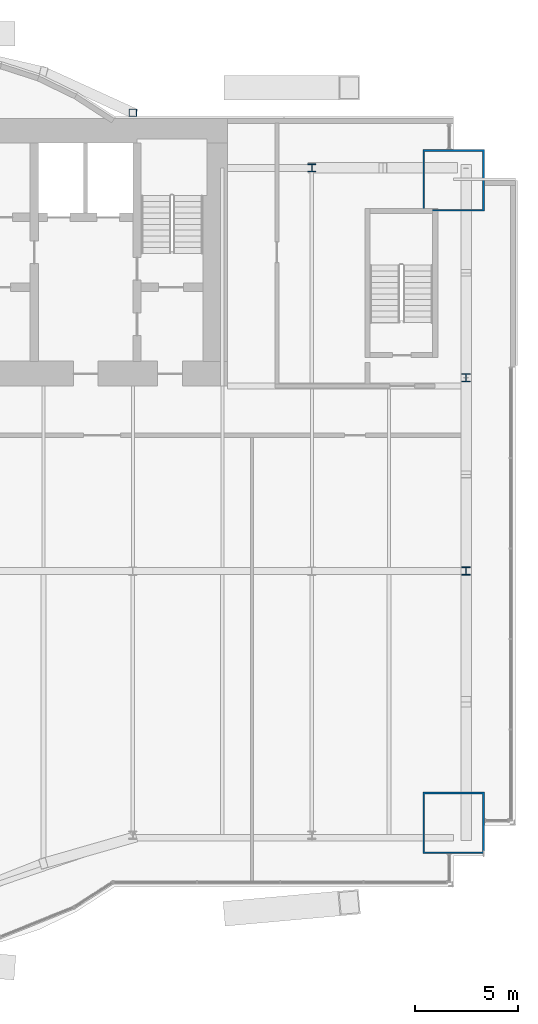
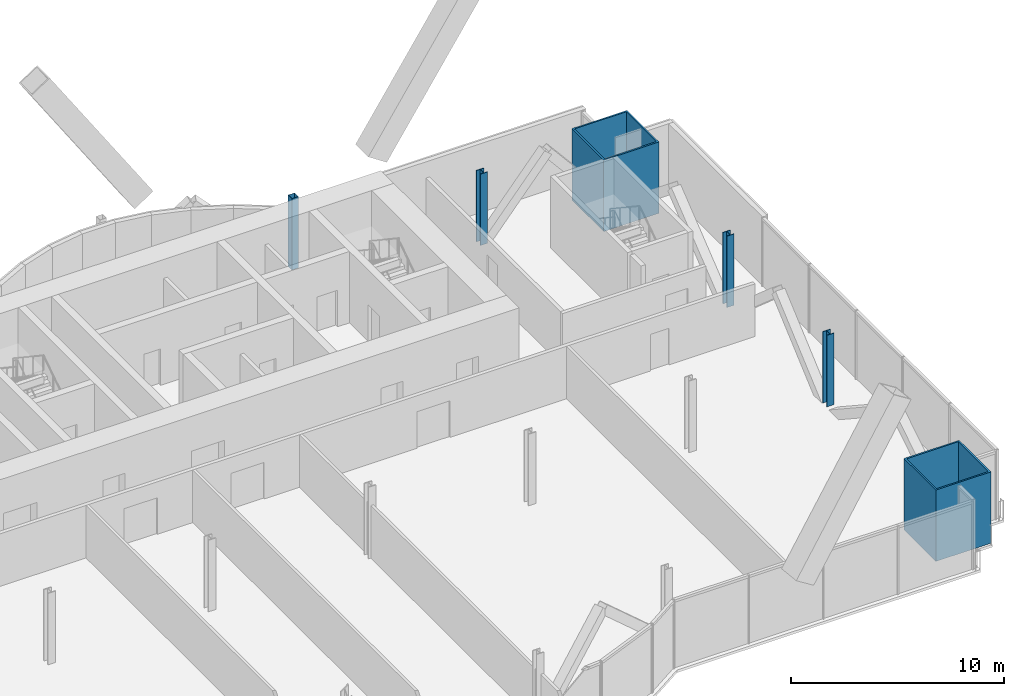
# One storey, part 3 of 21: 6 columns.
"""IFC4 building model written with IfcOpenShell, lengths in metres."""

from ifc_helpers import new_model, si_unit, direction, frame, origin, origin_2d, place, context, subcontext, project, spatial, hollow_rectangle, i_section, extrude, material, material_profile, profile_set, type_object, element, save


model = new_model("IFC4")

# Units and contexts
model_context = context("Model", 3, precision=1e-05, world=origin(), true_north=direction((0.0, 1.0)))
body_context = subcontext(model_context, "Body", "Model", "MODEL_VIEW")
ifc_project = project(units=[si_unit("LENGTHUNIT", "METRE"), si_unit("AREAUNIT", "SQUARE_METRE"), si_unit("VOLUMEUNIT", "CUBIC_METRE"), si_unit("PLANEANGLEUNIT", "RADIAN"), si_unit("MASSUNIT", "GRAM", prefix="KILO")], contexts=[model_context])

# Site, building, storey
site_placement = place(None, origin())
site = spatial("IfcSite", under=ifc_project, at=site_placement, CompositionType="ELEMENT")
building_placement = place(site_placement, origin())
building = spatial("IfcBuilding", under=site, at=building_placement, Name="Bicima Exchange Tower", CompositionType="ELEMENT")
storey_placement = place(building_placement, frame((0.0, 0.0, 118.60009765625)))
storey = spatial("IfcBuildingStorey", under=building, at=storey_placement, Name="L25", CompositionType="ELEMENT", Elevation=118.60009765625)

# Columns
ifc_material_1 = material(Name="Steel ASTM A572 Gr 50", Category="steel")
ifc_material_profile_1 = material_profile(ifc_material_1, hollow_rectangle(XDim=3.0, YDim=3.0, WallThickness=0.090087890625, at=origin_2d()))
ifc_profile_set_1 = profile_set([ifc_material_profile_1], Name="Steel ASTM A572 Gr 50")
column_type_1 = type_object("IfcColumnType", Name="Mega column BOX 3000x3000x90", PredefinedType="COLUMN", material=ifc_profile_set_1)
for number, where, z_axis, x_axis, name in (
    (1, (33.0, -34.241943359375, 0.0), (0.0, 0.0, 1.0), (1.0, 0.0, 0.0), "Mega column mega+33.0f"),
    (2, (33.0, -3.0, 0.0), (0.0, 0.0, 1.0), (1.0, 0.0, 0.0), "Mega column mega+33.0r"),
):
    element("IfcColumn", number, at=place(storey_placement, frame(where, z_axis=z_axis, x_axis=x_axis)), inside=storey, type_object=column_type_1, Name=name, PredefinedType="COLUMN", context=body_context, shape_type="SweptSolid", body=[
        extrude(hollow_rectangle(XDim=3.0, YDim=3.0, WallThickness=0.090087890625, at=origin_2d()), origin(), (0.0, 0.0, 1.0), 4.099853515625),
    ])
ifc_material_2 = material(Name="Steel ASTM A992 Gr 50", Category="steel")
ifc_material_profile_2 = material_profile(ifc_material_2, i_section(OverallWidth=0.398681640625, OverallDepth=0.393798828125, WebThickness=0.022705078125, FlangeThickness=0.03662109375, at=origin_2d()))
ifc_profile_set_2 = profile_set([ifc_material_profile_2], Name="Steel ASTM A992 Gr 50")
column_type_2 = type_object("IfcColumnType", Name="Perimeter column W14x193", PredefinedType="COLUMN", material=ifc_profile_set_2)
for number, where, z_axis, x_axis, name in (
    (3, (26.10009765625, -2.39990234375, 0.0), (0.0, 0.0, 1.0), (1.0, 0.0, 0.0), "Perimeter column grav+26.1r"),
    (4, (33.60009765625, -12.60009765625, 0.0), (0.0, 0.0, 1.0), (1.0, 0.0, 0.0), "End column end+33.6e"),
    (5, (33.60009765625, -22.0, 0.0), (0.0, 0.0, 1.0), (1.0, 0.0, 0.0), "End column end+33.6e"),
):
    element("IfcColumn", number, at=place(storey_placement, frame(where, z_axis=z_axis, x_axis=x_axis)), inside=storey, type_object=column_type_2, Name=name, PredefinedType="COLUMN", context=body_context, shape_type="SweptSolid", body=[
        extrude(i_section(OverallWidth=0.398681640625, OverallDepth=0.393798828125, WebThickness=0.022705078125, FlangeThickness=0.03662109375, at=origin_2d()), origin(), (0.0, 0.0, 1.0), 4.099853515625),
    ])
ifc_material_profile_3 = material_profile(ifc_material_1, hollow_rectangle(XDim=0.355712890625, YDim=0.355712890625, WallThickness=0.01171875, at=origin_2d()))
ifc_profile_set_3 = profile_set([ifc_material_profile_3], Name="Steel ASTM A572 Gr 50")
column_type_3 = type_object("IfcColumnType", Name="Rear pilaster HSS14x14x1/2", PredefinedType="COLUMN", material=ifc_profile_set_3)
column_placement = place(storey_placement, frame((17.39990234375, 0.278076171875, 0.0), z_axis=(0.0, 0.0, 1.0), x_axis=(1.0, 0.0, 0.0)))
element("IfcColumn", 6, at=column_placement, inside=storey, type_object=column_type_3, Name="Rear pilaster rexo+17.4r", PredefinedType="COLUMN", context=body_context, shape_type="SweptSolid", body=[
    extrude(hollow_rectangle(XDim=0.355712890625, YDim=0.355712890625, WallThickness=0.01171875, at=origin_2d()), origin(), (0.0, 0.0, 1.0), 4.099853515625),
])

save(model, "model.ifc")
